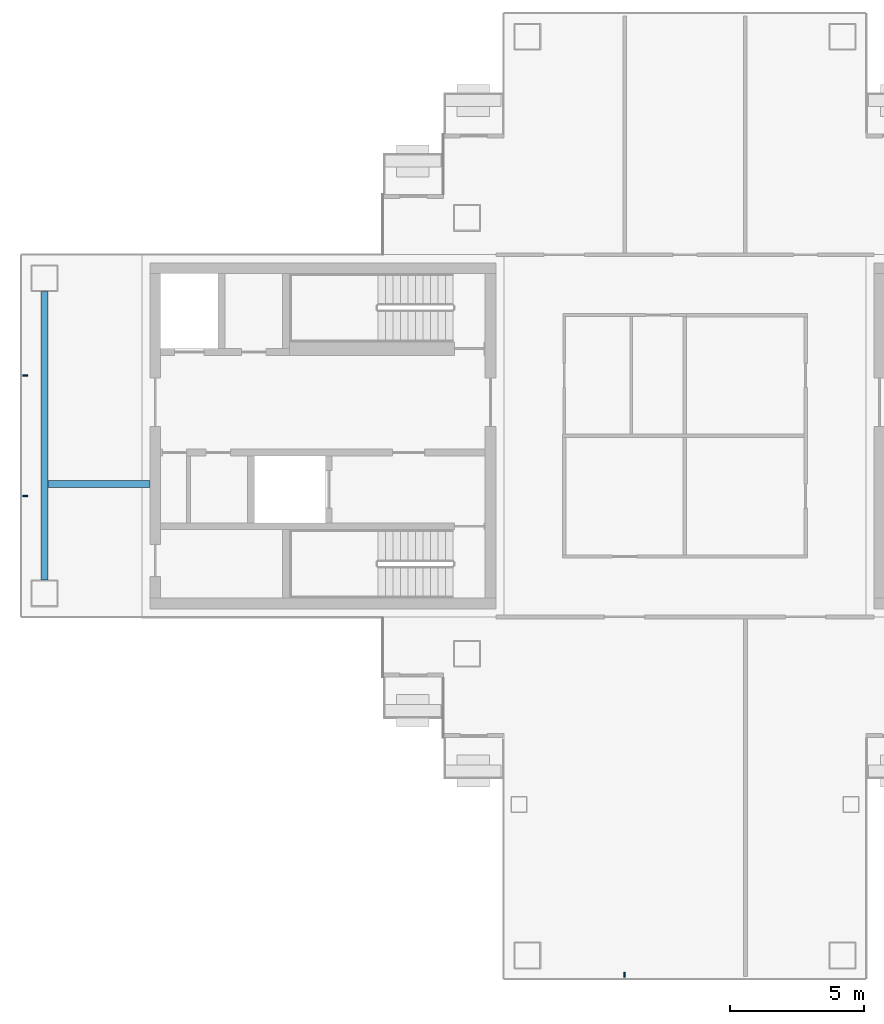
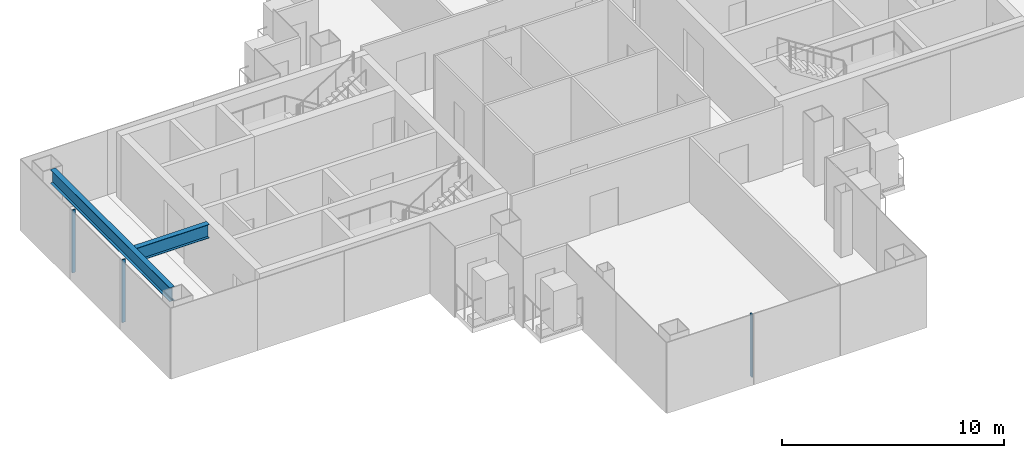
# One storey, part 3 of 15: 3 members, 2 beams, 2 elements without a shape of their own.
"""IFC4 building model written with IfcOpenShell, lengths in metres."""

from ifc_helpers import new_model, si_unit, direction, frame, origin, origin_2d, place, context, subcontext, project, spatial, rectangle, i_section, extrude, material, layer, layer_set, material_profile, profile_set, type_object, element, aggregate, save


model = new_model("IFC4")

# Units and contexts
model_context = context("Model", 3, precision=1e-05, world=origin(), true_north=direction((0.0, 1.0)))
body_context = subcontext(model_context, "Body", "Model", "MODEL_VIEW")
ifc_project = project(units=[si_unit("LENGTHUNIT", "METRE"), si_unit("AREAUNIT", "SQUARE_METRE"), si_unit("VOLUMEUNIT", "CUBIC_METRE"), si_unit("PLANEANGLEUNIT", "RADIAN"), si_unit("MASSUNIT", "GRAM", prefix="KILO")], contexts=[model_context])

# Site, building, storey
site_placement = place(None, origin())
site = spatial("IfcSite", under=ifc_project, at=site_placement, CompositionType="ELEMENT")
building_placement = place(site_placement, origin())
building = spatial("IfcBuilding", under=site, at=building_placement, Name="Shamsa Quay Exchange Towers", CompositionType="ELEMENT")
storey_placement = place(building_placement, frame((0.0, 0.0, 202.199951171875)))
storey = spatial("IfcBuildingStorey", under=building, at=storey_placement, Name="L48", CompositionType="ELEMENT", Elevation=202.199951171875)

# Curtain wall, member
ifc_material_1 = material(Name="Aluminium EN AW-6063 T6, black anodised", Category="aluminium")
ifc_layer = layer(ifc_material_1, 0.280029296875)
ifc_layer_set = layer_set([ifc_layer], Name="CW-1 UNITISED VISION GLASS")
curtain_wall_type = type_object("IfcCurtainWallType", Name="CW-1 UNITISED VISION GLASS", PredefinedType="NOTDEFINED", material=ifc_layer_set)
curtain_wall_1_placement = place(storey_placement, origin())
curtain_wall_1 = element("IfcCurtainWall", 1, at=curtain_wall_1_placement, inside=storey, type_object=curtain_wall_type, Name="CW1 T1-END-V- L48", PredefinedType="NOTDEFINED")
ifc_material_profile_1 = material_profile(ifc_material_1, rectangle(XDim=0.179931640625, YDim=0.06005859375, at=origin_2d()), Name="MU60x180")
ifc_profile_set_1 = profile_set([ifc_material_profile_1], Name="Aluminium EN AW-6063 T6, black anodised")
member_type = type_object("IfcMemberType", Name="CW1 MULLION 60x180", PredefinedType="MULLION", material=ifc_profile_set_1)
member_1_placement = place(storey_placement, frame((-36.0, -20.10009765625, 0.0), z_axis=(0.0, 0.0, 1.0), x_axis=(0.0, 1.0, 0.0)))
member_1 = element("IfcMember", 2, at=member_1_placement, type_object=member_type, Name="CW1 mullion", PredefinedType="MULLION", context=body_context, shape_type="SweptSolid", body=[
    extrude(rectangle(XDim=0.179931640625, YDim=0.06005859375, at=origin_2d()), origin(), (0.0, 0.0, 1.0), 3.449951171875),
])
aggregate(curtain_wall_1, [member_1])

# Curtain wall, members
curtain_wall_2_placement = place(storey_placement, origin())
curtain_wall_2 = element("IfcCurtainWall", 3, at=curtain_wall_2_placement, inside=storey, type_object=curtain_wall_type, Name="CW1 T1-END-U- L48", PredefinedType="NOTDEFINED")
member_2_placement = place(storey_placement, frame((-58.35009765625, 2.25, 0.0)))
member_2 = element("IfcMember", 4, at=member_2_placement, type_object=member_type, Name="CW1 mullion", PredefinedType="MULLION", context=body_context, shape_type="SweptSolid", body=[
    extrude(rectangle(XDim=0.179931640625, YDim=0.06005859375, at=origin_2d()), origin(), (0.0, 0.0, 1.0), 3.449951171875),
])
member_3_placement = place(storey_placement, frame((-58.35009765625, -2.25, 0.0)))
member_3 = element("IfcMember", 5, at=member_3_placement, type_object=member_type, Name="CW1 mullion", PredefinedType="MULLION", context=body_context, shape_type="SweptSolid", body=[
    extrude(rectangle(XDim=0.179931640625, YDim=0.06005859375, at=origin_2d()), origin(), (0.0, 0.0, 1.0), 3.449951171875),
])
aggregate(curtain_wall_2, [member_2, member_3])

# Beams
ifc_material_2 = material(Name="Steel S355", Category="steel")
ifc_material_profile_2 = material_profile(ifc_material_2, i_section(OverallWidth=0.26611328125, OverallDepth=0.7578125, WebThickness=0.013916015625, FlangeThickness=0.019287109375, at=origin_2d()), Name="W30x108")
ifc_profile_set_2 = profile_set([ifc_material_profile_2], Name="Steel S355")
beam_type = type_object("IfcBeamType", Name="End-zone beam W30x108", PredefinedType="BEAM", material=ifc_profile_set_2)
beam_1_placement = place(storey_placement, frame((-57.625, -5.375, 3.171142578125), z_axis=(0.0, 1.0, 0.0), x_axis=(-1.0, 0.0, 0.0)))
element("IfcBeam", 6, at=beam_1_placement, inside=storey, type_object=beam_type, Name="End beam T1 U- end zone L48", PredefinedType="BEAM", context=body_context, shape_type="SweptSolid", body=[
    extrude(i_section(OverallWidth=0.26611328125, OverallDepth=0.7578125, WebThickness=0.013916015625, FlangeThickness=0.019287109375, at=origin_2d()), origin(), (0.0, 0.0, 1.0), 10.75),
])
beam_2_placement = place(storey_placement, frame((-53.699951171875, -1.800048828125, 3.171142578125), z_axis=(-1.0, 0.0, 0.0), x_axis=(0.0, -1.0, 0.0)))
element("IfcBeam", 7, at=beam_2_placement, inside=storey, type_object=beam_type, Name="Spine beam T1 U- end zone L48", PredefinedType="BEAM", context=body_context, shape_type="SweptSolid", body=[
    extrude(i_section(OverallWidth=0.26611328125, OverallDepth=0.7578125, WebThickness=0.013916015625, FlangeThickness=0.019287109375, at=origin_2d()), origin(), (0.0, 0.0, 1.0), 3.7919921875),
])

save(model, "model.ifc")
